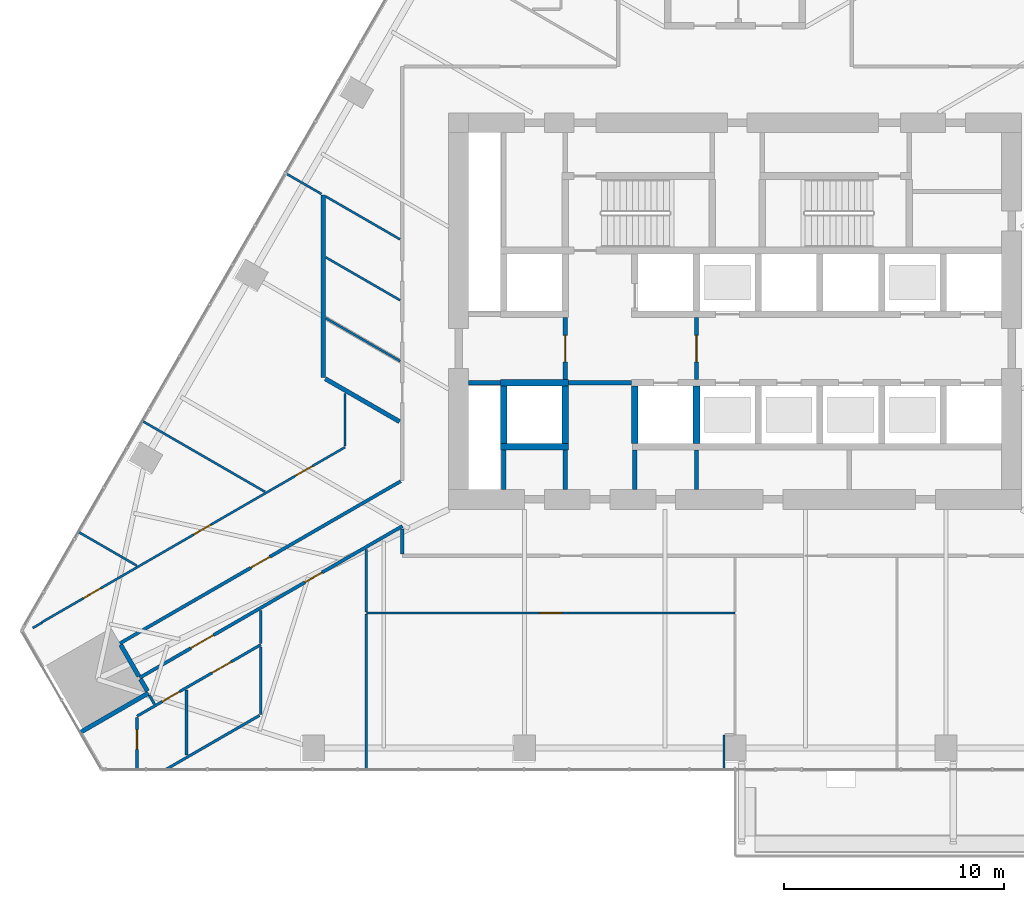
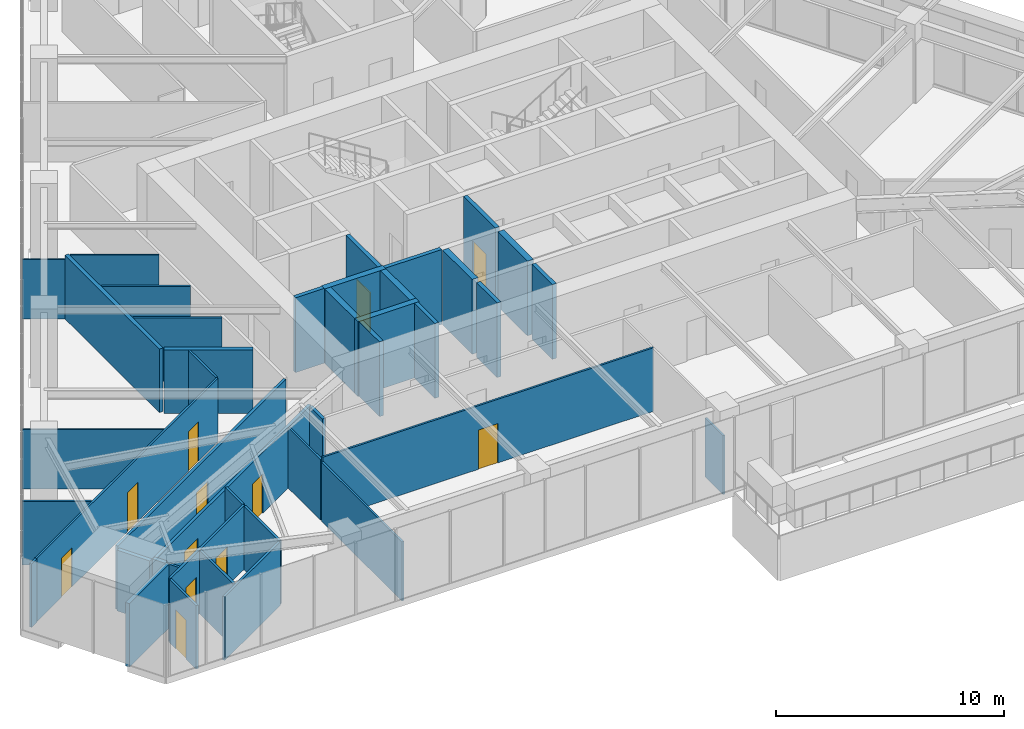
# One storey, part 21 of 29: 42 walls, 12 doors, 12 openings.
"""IFC4 building model written with IfcOpenShell, lengths in metres."""

from ifc_helpers import new_model, si_unit, direction, frame, frame_2d, origin, place, context, subcontext, project, spatial, rectangle, extrude, material, layer, layer_set, type_object, element, fill, save


model = new_model("IFC4")

# Units and contexts
model_context = context("Model", 3, precision=1e-05, world=origin(), true_north=direction((0.0, 1.0)))
body_context = subcontext(model_context, "Body", "Model", "MODEL_VIEW")
ifc_project = project(units=[si_unit("LENGTHUNIT", "METRE"), si_unit("AREAUNIT", "SQUARE_METRE"), si_unit("VOLUMEUNIT", "CUBIC_METRE"), si_unit("PLANEANGLEUNIT", "RADIAN"), si_unit("MASSUNIT", "GRAM", prefix="KILO")], contexts=[model_context])

# Site, building, storey
site_placement = place(None, origin())
site = spatial("IfcSite", under=ifc_project, at=site_placement, CompositionType="ELEMENT")
building_placement = place(site_placement, origin())
building = spatial("IfcBuilding", under=site, at=building_placement, Name="Firuza Gate Tower and Library", CompositionType="ELEMENT")
storey_placement = place(building_placement, frame((0.0, 0.0, 48.39990234375)))
storey = spatial("IfcBuildingStorey", under=building, at=storey_placement, Name="L10", CompositionType="ELEMENT", Elevation=48.39990234375)

# Walls
ifc_material_1 = material(Name="Plasterboard on steel studs", Category="steel")
ifc_layer_1 = layer(ifc_material_1, 0.199951171875)
ifc_layer_set_1 = layer_set([ifc_layer_1], Name="Core partition 200 EI 120")
wall_type_1 = type_object("IfcWallType", Name="Core partition 200 EI 120", PredefinedType="PARTITIONING", material=ifc_layer_set_1)
wall_1_placement = place(storey_placement, frame((62.89990234375, 71.75, 0.0), z_axis=(0.0, 0.0, 1.0), x_axis=(1.0, 0.0, 0.0)))
element("IfcWall", 1, at=wall_1_placement, inside=storey, type_object=wall_type_1, Name="Core partition L10 1", PredefinedType="PARTITIONING", context=body_context, shape_type="SweptSolid", body=[
    extrude(rectangle(XDim=1.4501953125, YDim=0.199951171875, at=frame_2d((0.72509765625, 0.0))), origin(), (0.0, 0.0, 1.0), 4.0),
])
wall_2_placement = place(storey_placement, frame((67.449951171875, 71.75, 0.0), z_axis=(0.0, 0.0, 1.0), x_axis=(1.0, 0.0, 0.0)))
element("IfcWall", 2, at=wall_2_placement, inside=storey, type_object=wall_type_1, Name="Core partition L10 2", PredefinedType="PARTITIONING", context=body_context, shape_type="SweptSolid", body=[
    extrude(rectangle(XDim=2.85009765625, YDim=0.199951171875, at=frame_2d((1.425048828125, 0.0))), origin(), (0.0, 0.0, 1.0), 4.0),
])
for number, where, z_axis, x_axis, name in (
    (3, (64.5, 66.89990234375, 0.0), (0.0, 0.0, 1.0), (0.0, 1.0, 0.0), "Core partition L10 5"),
    (4, (67.300048828125, 66.89990234375, 0.0), (0.0, 0.0, 1.0), (0.0, 1.0, 0.0), "Core partition L10 7"),
    (5, (70.449951171875, 66.89990234375, 0.0), (0.0, 0.0, 1.0), (0.0, 1.0, 0.0), "Core partition L10 10"),
    (6, (73.25, 66.89990234375, 0.0), (0.0, 0.0, 1.0), (0.0, 1.0, 0.0), "Core partition L10 11"),
):
    element("IfcWall", number, at=place(storey_placement, frame(where, z_axis=z_axis, x_axis=x_axis)), inside=storey, type_object=wall_type_1, Name=name, PredefinedType="PARTITIONING", context=body_context, shape_type="SweptSolid", body=[
        extrude(rectangle(XDim=1.800048828125, YDim=0.199951171875, at=frame_2d((0.89990234375, 0.0))), origin(), (0.0, 0.0, 1.0), 4.0),
    ])

# Wall, opening, door
ifc_material_2 = material(Name="Plasterboard on steel studs", Category="steel")
ifc_layer_2 = layer(ifc_material_2, 0.199951171875)
ifc_layer_set_2 = layer_set([ifc_layer_2], Name="Core partition 200 EI 60")
wall_type_2 = type_object("IfcWallType", Name="Core partition 200 EI 60", PredefinedType="PARTITIONING", material=ifc_layer_set_2)
wall_3_placement = place(storey_placement, frame((67.300048828125, 71.89990234375, 0.0), z_axis=(0.0, 0.0, 1.0), x_axis=(0.0, 1.0, 0.0)))
wall_3 = element("IfcWall", 7, at=wall_3_placement, inside=storey, type_object=wall_type_2, Name="Core partition L10 8", PredefinedType="PARTITIONING", context=body_context, shape_type="SweptSolid", body=[
    extrude(rectangle(XDim=2.800048828125, YDim=0.199951171875, at=frame_2d((1.39990234375, 0.0))), origin(), (0.0, 0.0, 1.0), 4.0),
])
opening_1_placement = place(wall_3_placement, frame((0.800048828125, 0.0, 0.0)))
opening_1 = element("IfcOpeningElement", 8, at=opening_1_placement, cuts=wall_3, Name="Opening L10-K21", PredefinedType="OPENING", context=body_context, shape_type="SweptSolid", body=[
    extrude(rectangle(XDim=1.199951171875, YDim=2.10009765625, at=frame_2d((0.60009765625, 1.050048828125))), frame((0.0, 0.10986328125, 0.0), z_axis=(0.0, -1.0, 0.0), x_axis=(1.0, 0.0, 0.0)), (0.0, 0.0, 1.0), 0.219970703125),
])
ifc_material_3 = material(Name="Steel", Category="steel")
door_type_1 = type_object("IfcDoorType", Name="Fire door 1200x2100 FD90S", OperationType="NOTDEFINED", PredefinedType="DOOR", material=ifc_material_3)
door_1_placement = place(opening_1_placement, origin())
door_1 = element("IfcDoor", 9, at=door_1_placement, inside=storey, type_object=door_type_1, Name="Door L10-K21", OperationType="SINGLE_SWING_RIGHT", OverallHeight=2.10009765625, OverallWidth=1.199951171875, PredefinedType="DOOR", context=body_context, shape_type="SweptSolid", body=[
    extrude(rectangle(XDim=1.199951171875, YDim=2.10009765625, at=frame_2d((0.60009765625, 1.050048828125))), frame((0.0, 0.02490234375, 0.0), z_axis=(0.0, -1.0, 0.0), x_axis=(1.0, 0.0, 0.0)), (0.0, 0.0, 1.0), 0.050048828125),
])
fill(opening_1, door_1)

wall_4_placement = place(storey_placement, frame((73.25, 71.89990234375, 0.0), z_axis=(0.0, 0.0, 1.0), x_axis=(0.0, 1.0, 0.0)))
wall_4 = element("IfcWall", 10, at=wall_4_placement, inside=storey, type_object=wall_type_2, Name="Core partition L10 12", PredefinedType="PARTITIONING", context=body_context, shape_type="SweptSolid", body=[
    extrude(rectangle(XDim=2.800048828125, YDim=0.199951171875, at=frame_2d((1.39990234375, 0.0))), origin(), (0.0, 0.0, 1.0), 4.0),
])
opening_2_placement = place(wall_4_placement, frame((0.800048828125, 0.0, 0.0)))
opening_2 = element("IfcOpeningElement", 11, at=opening_2_placement, cuts=wall_4, Name="Opening L10-K20", PredefinedType="OPENING", context=body_context, shape_type="SweptSolid", body=[
    extrude(rectangle(XDim=1.199951171875, YDim=2.10009765625, at=frame_2d((0.60009765625, 1.050048828125))), frame((0.0, 0.10986328125, 0.0), z_axis=(0.0, -1.0, 0.0), x_axis=(1.0, 0.0, 0.0)), (0.0, 0.0, 1.0), 0.219970703125),
])
door_2_placement = place(opening_2_placement, origin())
door_2 = element("IfcDoor", 12, at=door_2_placement, inside=storey, type_object=door_type_1, Name="Door L10-K20", OperationType="SINGLE_SWING_LEFT", OverallHeight=2.10009765625, OverallWidth=1.199951171875, PredefinedType="DOOR", context=body_context, shape_type="SweptSolid", body=[
    extrude(rectangle(XDim=1.199951171875, YDim=2.10009765625, at=frame_2d((0.60009765625, 1.050048828125))), frame((0.0, 0.02490234375, 0.0), z_axis=(0.0, -1.0, 0.0), x_axis=(1.0, 0.0, 0.0)), (0.0, 0.0, 1.0), 0.050048828125),
])
fill(opening_2, door_2)

# Walls
ifc_material_4 = material(Name="Concrete C80/95", Category="concrete")
ifc_layer_3 = layer(ifc_material_4, 0.300048828125)
ifc_layer_set_3 = layer_set([ifc_layer_3], Name="Core wall 300 C80/95")
wall_type_3 = type_object("IfcWallType", Name="Core wall 300 C80/95", PredefinedType="SHEAR", material=ifc_layer_set_3)
for number, where, z_axis, x_axis, name in (
    (13, (64.35009765625, 68.85009765625, 0.0), (0.0, 0.0, 1.0), (1.0, 0.0, 0.0), "Core wall L10 5"),
    (14, (64.35009765625, 71.75, 0.0), (0.0, 0.0, 1.0), (1.0, 0.0, 0.0), "Core wall L10 7"),
):
    element("IfcWall", number, at=place(storey_placement, frame(where, z_axis=z_axis, x_axis=x_axis)), inside=storey, type_object=wall_type_3, Name=name, PredefinedType="SHEAR", context=body_context, shape_type="SweptSolid", body=[
        extrude(rectangle(XDim=3.099853515625, YDim=0.300048828125, at=frame_2d((1.5498046875, 0.0))), origin(), (0.0, 0.0, 1.0), 4.0),
    ])
for number, where, z_axis, x_axis, name in (
    (15, (64.5, 69.0, 0.0), (0.0, 0.0, 1.0), (0.0, 1.0, 0.0), "Core wall L10 11"),
    (16, (67.300048828125, 69.0, 0.0), (0.0, 0.0, 1.0), (0.0, 1.0, 0.0), "Core wall L10 13"),
    (17, (70.449951171875, 69.0, 0.0), (0.0, 0.0, 1.0), (0.0, 1.0, 0.0), "Core wall L10 15"),
    (18, (73.25, 69.0, 0.0), (0.0, 0.0, 1.0), (0.0, 1.0, 0.0), "Core wall L10 17"),
):
    element("IfcWall", number, at=place(storey_placement, frame(where, z_axis=z_axis, x_axis=x_axis)), inside=storey, type_object=wall_type_3, Name=name, PredefinedType="SHEAR", context=body_context, shape_type="SweptSolid", body=[
        extrude(rectangle(XDim=2.60009765625, YDim=0.300048828125, at=frame_2d((1.300048828125, 0.0))), origin(), (0.0, 0.0, 1.0), 4.0),
    ])

# Wall, openings, doors
ifc_material_5 = material(Name="Gypsum board partition")
ifc_layer_4 = layer(ifc_material_5, 0.14990234375)
ifc_layer_set_4 = layer_set([ifc_layer_4], Name="Corridor wall 150 double board on steel studs")
wall_type_4 = type_object("IfcWallType", Name="Corridor wall 150 double board on steel studs", PredefinedType="PARTITIONING", material=ifc_layer_set_4)
wall_5_placement = place(storey_placement, frame((59.89990234375, 65.242919921875, 0.0), z_axis=(0.0, 0.0, 1.0), x_axis=(-0.866026378386, -0.499998311937, 0.0)))
wall_5 = element("IfcWall", 19, at=wall_5_placement, inside=storey, type_object=wall_type_4, Name="f:L10:w017", PredefinedType="PARTITIONING", context=body_context, shape_type="SweptSolid", body=[
    extrude(rectangle(XDim=13.76416015625, YDim=0.14990234375, at=frame_2d((6.882080078125, 0.0))), origin(), (0.0, 0.0, 1.0), 3.2470703125),
])
opening_3_placement = place(wall_5_placement, frame((4.208740234375, 0.0, 0.0)))
opening_3 = element("IfcOpeningElement", 20, at=opening_3_placement, cuts=wall_5, Name="Opening L10-13", PredefinedType="OPENING", context=body_context, shape_type="SweptSolid", body=[
    extrude(rectangle(XDim=0.89990234375, YDim=2.10009765625, at=frame_2d((0.449951171875, 1.050048828125))), frame((0.0, 0.0849609375, 0.0), z_axis=(0.0, -1.0, 0.0), x_axis=(1.0, 0.0, 0.0)), (0.0, 0.0, 1.0), 0.169921875),
])
opening_4_placement = place(wall_5_placement, frame((9.890869140625, 0.0, 0.0)))
opening_4 = element("IfcOpeningElement", 21, at=opening_4_placement, cuts=wall_5, Name="Opening L10-14", PredefinedType="OPENING", context=body_context, shape_type="SweptSolid", body=[
    extrude(rectangle(XDim=1.199951171875, YDim=2.10009765625, at=frame_2d((0.60009765625, 1.050048828125))), frame((0.0, 0.0849609375, 0.0), z_axis=(0.0, -1.0, 0.0), x_axis=(1.0, 0.0, 0.0)), (0.0, 0.0, 1.0), 0.169921875),
])
ifc_material_6 = material(Name="Steel door and timber leaf", Category="steel")
door_type_2 = type_object("IfcDoorType", Name="Fire door 1200 x 2100 steel frame, double leaf", OperationType="NOTDEFINED", PredefinedType="DOOR", material=ifc_material_6)
door_3_placement = place(opening_4_placement, origin())
door_3 = element("IfcDoor", 22, at=door_3_placement, inside=storey, type_object=door_type_2, Name="f:L10:d014", OperationType="DOUBLE_DOOR_SINGLE_SWING", OverallHeight=2.10009765625, OverallWidth=1.199951171875, PredefinedType="DOOR", context=body_context, shape_type="SweptSolid", body=[
    extrude(rectangle(XDim=1.199951171875, YDim=2.10009765625, at=frame_2d((0.60009765625, 1.050048828125))), frame((0.0, 0.02490234375, 0.0), z_axis=(0.0, -1.0, 0.0), x_axis=(1.0, 0.0, 0.0)), (0.0, 0.0, 1.0), 0.050048828125),
])
fill(opening_4, door_3)
ifc_material_7 = material(Name="Steel door and timber leaf", Category="steel")
door_type_3 = type_object("IfcDoorType", Name="Fire door 900 x 2100 steel frame, timber leaf", OperationType="NOTDEFINED", PredefinedType="DOOR", material=ifc_material_7)
door_4_placement = place(opening_3_placement, origin())
door_4 = element("IfcDoor", 23, at=door_4_placement, inside=storey, type_object=door_type_3, Name="f:L10:d013", OperationType="SINGLE_SWING_RIGHT", OverallHeight=2.10009765625, OverallWidth=0.89990234375, PredefinedType="DOOR", context=body_context, shape_type="SweptSolid", body=[
    extrude(rectangle(XDim=0.89990234375, YDim=2.10009765625, at=frame_2d((0.449951171875, 1.050048828125))), frame((0.0, 0.02490234375, 0.0), z_axis=(0.0, -1.0, 0.0), x_axis=(1.0, 0.0, 0.0)), (0.0, 0.0, 1.0), 0.050048828125),
])
fill(opening_3, door_4)

# Wall, opening, door
wall_6_placement = place(storey_placement, frame((47.079833984375, 59.919677734375, 0.0), z_axis=(0.0, 0.0, 1.0), x_axis=(0.866025356753, 0.50000008146, 0.0)))
wall_6 = element("IfcWall", 24, at=wall_6_placement, inside=storey, type_object=wall_type_4, Name="f:L10:w020", PredefinedType="PARTITIONING", context=body_context, shape_type="SweptSolid", body=[
    extrude(rectangle(XDim=14.716796875, YDim=0.14990234375, at=frame_2d((7.3583984375, 0.0))), origin(), (0.0, 0.0, 1.0), 3.400146484375),
])
opening_5_placement = place(wall_6_placement, frame((6.8583984375, 0.0, 0.0)))
opening_5 = element("IfcOpeningElement", 25, at=opening_5_placement, cuts=wall_6, Name="Opening L10-15", PredefinedType="OPENING", context=body_context, shape_type="SweptSolid", body=[
    extrude(rectangle(XDim=1.0, YDim=2.10009765625, at=frame_2d((0.5, 1.050048828125))), frame((0.0, 0.0849609375, 0.0), z_axis=(0.0, -1.0, 0.0), x_axis=(1.0, 0.0, 0.0)), (0.0, 0.0, 1.0), 0.169921875),
])
ifc_material_8 = material(Name="Steel door and timber leaf", Category="steel")
door_type_4 = type_object("IfcDoorType", Name="Fire door 1000 x 2100 steel frame, timber leaf", OperationType="NOTDEFINED", PredefinedType="DOOR", material=ifc_material_8)
door_5_placement = place(opening_5_placement, origin())
door_5 = element("IfcDoor", 26, at=door_5_placement, inside=storey, type_object=door_type_4, Name="f:L10:d015", OperationType="SINGLE_SWING_RIGHT", OverallHeight=2.10009765625, OverallWidth=1.0, PredefinedType="DOOR", context=body_context, shape_type="SweptSolid", body=[
    extrude(rectangle(XDim=1.0, YDim=2.10009765625, at=frame_2d((0.5, 1.050048828125))), frame((0.0, 0.02490234375, 0.0), z_axis=(0.0, -1.0, 0.0), x_axis=(1.0, 0.0, 0.0)), (0.0, 0.0, 1.0), 0.050048828125),
])
fill(opening_5, door_5)

# Walls
wall_7_placement = place(storey_placement, frame((59.89990234375, 63.97509765625, 0.0), z_axis=(0.0, 0.0, 1.0), x_axis=(0.0, 1.0, 0.0)))
element("IfcWall", 27, at=wall_7_placement, inside=storey, type_object=wall_type_4, Name="f:L10:w046", PredefinedType="PARTITIONING", context=body_context, shape_type="SweptSolid", body=[
    extrude(rectangle(XDim=1.131103515625, YDim=0.14990234375, at=frame_2d((0.5654296875, 0.0))), origin(), (0.0, 0.0, 1.0), 3.2470703125),
])
ifc_material_9 = material(Name="Gypsum board partition")
ifc_layer_5 = layer(ifc_material_9, 0.199951171875)
ifc_layer_set_5 = layer_set([ifc_layer_5], Name="Demising wall 200 acoustic double stud")
wall_type_5 = type_object("IfcWallType", Name="Demising wall 200 acoustic double stud", PredefinedType="PARTITIONING", material=ifc_layer_set_5)
wall_8_placement = place(storey_placement, frame((45.29638671875, 55.8876953125, 0.0), z_axis=(0.0, 0.0, 1.0), x_axis=(0.866016916595, 0.500014699955, 0.0)))
element("IfcWall", 28, at=wall_8_placement, inside=storey, type_object=wall_type_5, Name="f:L10:w016", PredefinedType="PARTITIONING", context=body_context, shape_type="SweptSolid", body=[
    extrude(rectangle(XDim=3.54345703125, YDim=0.199951171875, at=frame_2d((1.771728515625, 0.0))), origin(), (0.0, 0.0, 1.0), 3.400146484375),
])
wall_9_placement = place(storey_placement, frame((56.300048828125, 71.98828125, 0.0), z_axis=(0.0, 0.0, 1.0), x_axis=(0.0, 1.0, 0.0)))
element("IfcWall", 29, at=wall_9_placement, inside=storey, type_object=wall_type_5, Name="f:L10:w050", PredefinedType="PARTITIONING", context=body_context, shape_type="SweptSolid", body=[
    extrude(rectangle(XDim=8.2841796875, YDim=0.199951171875, at=frame_2d((4.14208984375, 0.0))), origin(), (0.0, 0.0, 1.0), 3.400146484375),
])
wall_10_placement = place(storey_placement, frame((48.32958984375, 57.7548828125, 0.0), z_axis=(0.0, 0.0, 1.0), x_axis=(-0.500342721131, 0.865827443207, 0.0)))
element("IfcWall", 30, at=wall_10_placement, inside=storey, type_object=wall_type_5, Name="f:L10:w055", PredefinedType="PARTITIONING", context=body_context, shape_type="SweptSolid", body=[
    extrude(rectangle(XDim=0.62451171875, YDim=0.199951171875, at=frame_2d((0.312255859375, 0.0))), origin(), (0.0, 0.0, 1.0), 3.400146484375),
])
wall_11_placement = place(storey_placement, frame((59.773193359375, 69.982421875, 0.0), z_axis=(0.0, 0.0, 1.0), x_axis=(-0.866043624834, 0.499968438888, 0.0)))
element("IfcWall", 31, at=wall_11_placement, inside=storey, type_object=wall_type_5, Name="f:L10:w066", PredefinedType="PARTITIONING", context=body_context, shape_type="SweptSolid", body=[
    extrude(rectangle(XDim=3.894775390625, YDim=0.199951171875, at=frame_2d((1.947265625, 0.0))), origin(), (0.0, 0.0, 1.0), 3.400146484375),
])
wall_12_placement = place(storey_placement, frame((47.942138671875, 58.425537109375, 0.0), z_axis=(0.0, 0.0, 1.0), x_axis=(-0.499991515992, 0.866030301974, 0.0)))
element("IfcWall", 32, at=wall_12_placement, inside=storey, type_object=wall_type_5, Name="f:L10:w073", PredefinedType="PARTITIONING", context=body_context, shape_type="SweptSolid", body=[
    extrude(rectangle(XDim=1.6494140625, YDim=0.199951171875, at=frame_2d((0.82470703125, 0.0))), origin(), (0.0, 0.0, 1.0), 3.2470703125),
])

# Wall, opening, door
ifc_material_10 = material(Name="Gypsum board partition")
ifc_layer_6 = layer(ifc_material_10, 0.10009765625)
ifc_layer_set_6 = layer_set([ifc_layer_6], Name="Partition 100 gypsum board on steel studs")
wall_type_6 = type_object("IfcWallType", Name="Partition 100 gypsum board on steel studs", PredefinedType="PARTITIONING", material=ifc_layer_set_6)
wall_13_placement = place(storey_placement, frame((58.27099609375, 61.300048828125, 0.0), z_axis=(0.0, 0.0, 1.0), x_axis=(1.0, 0.0, 0.0)))
wall_13 = element("IfcWall", 33, at=wall_13_placement, inside=storey, type_object=wall_type_6, Name="f:L10:w001", PredefinedType="PARTITIONING", context=body_context, shape_type="SweptSolid", body=[
    extrude(rectangle(XDim=16.72900390625, YDim=0.10009765625, at=frame_2d((8.364501953125, 0.0))), origin(), (0.0, 0.0, 1.0), 3.400146484375),
])
opening_6_placement = place(wall_13_placement, frame((7.864501953125, 0.0, 0.0)))
opening_6 = element("IfcOpeningElement", 34, at=opening_6_placement, cuts=wall_13, Name="Opening L10-01", PredefinedType="OPENING", context=body_context, shape_type="SweptSolid", body=[
    extrude(rectangle(XDim=1.0, YDim=2.10009765625, at=frame_2d((0.5, 1.050048828125))), frame((0.0, 0.06005859375, 0.0), z_axis=(0.0, -1.0, 0.0), x_axis=(1.0, 0.0, 0.0)), (0.0, 0.0, 1.0), 0.1201171875),
])
ifc_material_11 = material(Name="Timber door", Category="wood")
door_type_5 = type_object("IfcDoorType", Name="Door 1000 x 2100 timber leaf", OperationType="NOTDEFINED", PredefinedType="DOOR", material=ifc_material_11)
door_6_placement = place(opening_6_placement, origin())
door_6 = element("IfcDoor", 35, at=door_6_placement, inside=storey, type_object=door_type_5, Name="f:L10:d001", OperationType="SINGLE_SWING_RIGHT", OverallHeight=2.10009765625, OverallWidth=1.0, PredefinedType="DOOR", context=body_context, shape_type="SweptSolid", body=[
    extrude(rectangle(XDim=1.0, YDim=2.10009765625, at=frame_2d((0.5, 1.050048828125))), frame((0.0, 0.02490234375, 0.0), z_axis=(0.0, -1.0, 0.0), x_axis=(1.0, 0.0, 0.0)), (0.0, 0.0, 1.0), 0.050048828125),
])
fill(opening_6, door_6)

# Wall
wall_14_placement = place(storey_placement, frame((43.12744140625, 60.617919921875, 0.0), z_axis=(0.0, 0.0, 1.0), x_axis=(0.865979310119, 0.500079828073, 0.0)))
element("IfcWall", 36, at=wall_14_placement, inside=storey, type_object=wall_type_6, Name="f:L10:w021", PredefinedType="PARTITIONING", context=body_context, shape_type="SweptSolid", body=[
    extrude(rectangle(XDim=0.47314453125, YDim=0.10009765625, at=frame_2d((0.236572265625, 0.0))), origin(), (0.0, 0.0, 1.0), 3.400146484375),
])

# Wall, openings, doors
wall_15_placement = place(storey_placement, frame((57.300048828125, 68.822509765625, 0.0), z_axis=(0.0, 0.0, 1.0), x_axis=(-0.8660275888, -0.499996215423, 0.0)))
wall_15 = element("IfcWall", 37, at=wall_15_placement, inside=storey, type_object=wall_type_6, Name="f:L10:w022", PredefinedType="PARTITIONING", context=body_context, shape_type="SweptSolid", body=[
    extrude(rectangle(XDim=15.90234375, YDim=0.10009765625, at=frame_2d((7.951171875, 0.0))), origin(), (0.0, 0.0, 1.0), 3.400146484375),
])
opening_7_placement = place(wall_15_placement, frame((1.712890625, 0.0, 0.0)))
opening_7 = element("IfcOpeningElement", 38, at=opening_7_placement, cuts=wall_15, Name="Opening L10-16", PredefinedType="OPENING", context=body_context, shape_type="SweptSolid", body=[
    extrude(rectangle(XDim=0.89990234375, YDim=2.10009765625, at=frame_2d((0.449951171875, 1.050048828125))), frame((0.0, 0.06005859375, 0.0), z_axis=(0.0, -1.0, 0.0), x_axis=(1.0, 0.0, 0.0)), (0.0, 0.0, 1.0), 0.1201171875),
])
opening_8_placement = place(wall_15_placement, frame((7.02734375, 0.0, 0.0)))
opening_8 = element("IfcOpeningElement", 39, at=opening_8_placement, cuts=wall_15, Name="Opening L10-17", PredefinedType="OPENING", context=body_context, shape_type="SweptSolid", body=[
    extrude(rectangle(XDim=0.89990234375, YDim=2.10009765625, at=frame_2d((0.449951171875, 1.050048828125))), frame((0.0, 0.06005859375, 0.0), z_axis=(0.0, -1.0, 0.0), x_axis=(1.0, 0.0, 0.0)), (0.0, 0.0, 1.0), 0.1201171875),
])
opening_9_placement = place(wall_15_placement, frame((12.815673828125, 0.0, 0.0)))
opening_9 = element("IfcOpeningElement", 40, at=opening_9_placement, cuts=wall_15, Name="Opening L10-18", PredefinedType="OPENING", context=body_context, shape_type="SweptSolid", body=[
    extrude(rectangle(XDim=0.89990234375, YDim=2.10009765625, at=frame_2d((0.449951171875, 1.050048828125))), frame((0.0, 0.06005859375, 0.0), z_axis=(0.0, -1.0, 0.0), x_axis=(1.0, 0.0, 0.0)), (0.0, 0.0, 1.0), 0.1201171875),
])
ifc_material_12 = material(Name="Timber door", Category="wood")
door_type_6 = type_object("IfcDoorType", Name="Door 900 x 2100 timber leaf", OperationType="NOTDEFINED", PredefinedType="DOOR", material=ifc_material_12)
door_7_placement = place(opening_7_placement, origin())
door_7 = element("IfcDoor", 41, at=door_7_placement, inside=storey, type_object=door_type_6, Name="f:L10:d016", OperationType="SINGLE_SWING_RIGHT", OverallHeight=2.10009765625, OverallWidth=0.89990234375, PredefinedType="DOOR", context=body_context, shape_type="SweptSolid", body=[
    extrude(rectangle(XDim=0.89990234375, YDim=2.10009765625, at=frame_2d((0.449951171875, 1.050048828125))), frame((0.0, 0.02490234375, 0.0), z_axis=(0.0, -1.0, 0.0), x_axis=(1.0, 0.0, 0.0)), (0.0, 0.0, 1.0), 0.050048828125),
])
fill(opening_7, door_7)
door_8_placement = place(opening_8_placement, origin())
door_8 = element("IfcDoor", 42, at=door_8_placement, inside=storey, type_object=door_type_6, Name="f:L10:d017", OperationType="SINGLE_SWING_LEFT", OverallHeight=2.10009765625, OverallWidth=0.89990234375, PredefinedType="DOOR", context=body_context, shape_type="SweptSolid", body=[
    extrude(rectangle(XDim=0.89990234375, YDim=2.10009765625, at=frame_2d((0.449951171875, 1.050048828125))), frame((0.0, 0.02490234375, 0.0), z_axis=(0.0, -1.0, 0.0), x_axis=(1.0, 0.0, 0.0)), (0.0, 0.0, 1.0), 0.050048828125),
])
fill(opening_8, door_8)
door_9_placement = place(opening_9_placement, origin())
door_9 = element("IfcDoor", 43, at=door_9_placement, inside=storey, type_object=door_type_6, Name="f:L10:d018", OperationType="SINGLE_SWING_RIGHT", OverallHeight=2.10009765625, OverallWidth=0.89990234375, PredefinedType="DOOR", context=body_context, shape_type="SweptSolid", body=[
    extrude(rectangle(XDim=0.89990234375, YDim=2.10009765625, at=frame_2d((0.449951171875, 1.050048828125))), frame((0.0, 0.02490234375, 0.0), z_axis=(0.0, -1.0, 0.0), x_axis=(1.0, 0.0, 0.0)), (0.0, 0.0, 1.0), 0.050048828125),
])
fill(opening_9, door_9)

# Walls
wall_16_placement = place(storey_placement, frame((74.5, 54.212158203125, 0.0), z_axis=(0.0, 0.0, 1.0), x_axis=(0.0, 1.0, 0.0)))
element("IfcWall", 44, at=wall_16_placement, inside=storey, type_object=wall_type_6, Name="f:L10:w041", PredefinedType="PARTITIONING", context=body_context, shape_type="SweptSolid", body=[
    extrude(rectangle(XDim=1.5595703125, YDim=0.10009765625, at=frame_2d((0.77978515625, 0.0))), origin(), (0.0, 0.0, 1.0), 3.1650390625),
])
wall_17_placement = place(storey_placement, frame((58.257080078125, 54.212158203125, 0.0), z_axis=(0.0, 0.0, 1.0), x_axis=(0.0, 1.0, 0.0)))
element("IfcWall", 45, at=wall_17_placement, inside=storey, type_object=wall_type_6, Name="f:L10:w048", PredefinedType="PARTITIONING", context=body_context, shape_type="SweptSolid", body=[
    extrude(rectangle(XDim=7.037841796875, YDim=0.10009765625, at=frame_2d((3.51904296875, 0.0))), origin(), (0.0, 0.0, 1.0), 3.1650390625),
])
wall_18_placement = place(storey_placement, frame((57.300048828125, 68.880126953125, 0.0), z_axis=(0.0, 0.0, 1.0), x_axis=(0.0, 1.0, 0.0)))
element("IfcWall", 46, at=wall_18_placement, inside=storey, type_object=wall_type_6, Name="f:L10:w049", PredefinedType="PARTITIONING", context=body_context, shape_type="SweptSolid", body=[
    extrude(rectangle(XDim=2.38427734375, YDim=0.10009765625, at=frame_2d((1.192138671875, 0.0))), origin(), (0.0, 0.0, 1.0), 3.400146484375),
])
wall_19_placement = place(storey_placement, frame((59.798828125, 78.25244140625, 0.0), z_axis=(0.0, 0.0, 1.0), x_axis=(-0.866036349784, 0.499981040493, 0.0)))
element("IfcWall", 47, at=wall_19_placement, inside=storey, type_object=wall_type_6, Name="f:L10:w063", PredefinedType="PARTITIONING", context=body_context, shape_type="SweptSolid", body=[
    extrude(rectangle(XDim=3.895751953125, YDim=0.10009765625, at=frame_2d((1.94775390625, 0.0))), origin(), (0.0, 0.0, 1.0), 3.400146484375),
])
wall_20_placement = place(storey_placement, frame((59.798828125, 75.490478515625, 0.0), z_axis=(0.0, 0.0, 1.0), x_axis=(-0.866043624834, 0.499968438888, 0.0)))
element("IfcWall", 48, at=wall_20_placement, inside=storey, type_object=wall_type_6, Name="f:L10:w064", PredefinedType="PARTITIONING", context=body_context, shape_type="SweptSolid", body=[
    extrude(rectangle(XDim=3.894775390625, YDim=0.10009765625, at=frame_2d((1.947265625, 0.0))), origin(), (0.0, 0.0, 1.0), 3.400146484375),
])
wall_21_placement = place(storey_placement, frame((59.799072265625, 72.729248046875, 0.0), z_axis=(0.0, 0.0, 1.0), x_axis=(-0.866016482536, 0.500015451737, 0.0)))
element("IfcWall", 49, at=wall_21_placement, inside=storey, type_object=wall_type_6, Name="f:L10:w065", PredefinedType="PARTITIONING", context=body_context, shape_type="SweptSolid", body=[
    extrude(rectangle(XDim=3.89501953125, YDim=0.10009765625, at=frame_2d((1.947509765625, 0.0))), origin(), (0.0, 0.0, 1.0), 3.400146484375),
])
wall_22_placement = place(storey_placement, frame((53.654052734375, 66.80517578125, 0.0), z_axis=(0.0, 0.0, 1.0), x_axis=(-0.866029926444, 0.499992166441, 0.0)))
element("IfcWall", 50, at=wall_22_placement, inside=storey, type_object=wall_type_6, Name="f:L10:w067", PredefinedType="PARTITIONING", context=body_context, shape_type="SweptSolid", body=[
    extrude(rectangle(XDim=6.39892578125, YDim=0.10009765625, at=frame_2d((3.199462890625, 0.0))), origin(), (0.0, 0.0, 1.0), 3.1650390625),
])
wall_23_placement = place(storey_placement, frame((47.843017578125, 63.4501953125, 0.0), z_axis=(0.0, 0.0, 1.0), x_axis=(-0.86603332906, 0.499986272769, 0.0)))
element("IfcWall", 51, at=wall_23_placement, inside=storey, type_object=wall_type_6, Name="f:L10:w068", PredefinedType="PARTITIONING", context=body_context, shape_type="SweptSolid", body=[
    extrude(rectangle(XDim=3.0439453125, YDim=0.10009765625, at=frame_2d((1.52197265625, 0.0))), origin(), (0.0, 0.0, 1.0), 3.400146484375),
])
wall_24_placement = place(storey_placement, frame((56.22509765625, 80.315673828125, 0.0), z_axis=(0.0, 0.0, 1.0), x_axis=(-0.86600952399, 0.500027503603, 0.0)))
element("IfcWall", 52, at=wall_24_placement, inside=storey, type_object=wall_type_6, Name="f:L10:w078", PredefinedType="PARTITIONING", context=body_context, shape_type="SweptSolid", body=[
    extrude(rectangle(XDim=1.87060546875, YDim=0.10009765625, at=frame_2d((0.935302734375, 0.0))), origin(), (0.0, 0.0, 1.0), 3.1650390625),
])
wall_25_placement = place(storey_placement, frame((58.257080078125, 61.35009765625, 0.0), z_axis=(0.0, 0.0, 1.0), x_axis=(0.0, 1.0, 0.0)))
element("IfcWall", 53, at=wall_25_placement, inside=storey, type_object=wall_type_6, Name="f:L10:w079", PredefinedType="PARTITIONING", context=body_context, shape_type="SweptSolid", body=[
    extrude(rectangle(XDim=2.82763671875, YDim=0.10009765625, at=frame_2d((1.413818359375, 0.0))), origin(), (0.0, 0.0, 1.0), 3.2470703125),
])
ifc_material_13 = material(Name="Gypsum board partition")
ifc_layer_7 = layer(ifc_material_13, 0.1201171875)
ifc_layer_set_7 = layer_set([ifc_layer_7], Name="Wet-area partition 120 moisture-resistant board")
wall_type_7 = type_object("IfcWallType", Name="Wet-area partition 120 moisture-resistant board", PredefinedType="PARTITIONING", material=ifc_layer_set_7)
wall_26_placement = place(storey_placement, frame((49.194091796875, 54.212158203125, 0.0), z_axis=(0.0, 0.0, 1.0), x_axis=(0.866016997745, 0.500014559404, 0.0)))
element("IfcWall", 54, at=wall_26_placement, inside=storey, type_object=wall_type_7, Name="f:L10:w014", PredefinedType="PARTITIONING", context=body_context, shape_type="SweptSolid", body=[
    extrude(rectangle(XDim=4.871337890625, YDim=0.1201171875, at=frame_2d((2.435546875, 0.0))), origin(), (0.0, 0.0, 1.0), 3.400146484375),
])

# Wall, openings, doors
wall_27_placement = place(storey_placement, frame((47.85546875, 56.614501953125, 0.0), z_axis=(0.0, 0.0, 1.0), x_axis=(0.866008853477, 0.500028664877, 0.0)))
wall_27 = element("IfcWall", 55, at=wall_27_placement, inside=storey, type_object=wall_type_7, Name="f:L10:w015", PredefinedType="PARTITIONING", context=body_context, shape_type="SweptSolid", body=[
    extrude(rectangle(XDim=6.4873046875, YDim=0.1201171875, at=frame_2d((3.24365234375, 0.0))), origin(), (0.0, 0.0, 1.0), 3.400146484375),
])
opening_10_placement = place(wall_27_placement, frame((1.329345703125, 0.0, 0.0)))
opening_10 = element("IfcOpeningElement", 56, at=opening_10_placement, cuts=wall_27, Name="Opening L10-11", PredefinedType="OPENING", context=body_context, shape_type="SweptSolid", body=[
    extrude(rectangle(XDim=0.89990234375, YDim=2.10009765625, at=frame_2d((0.449951171875, 1.050048828125))), frame((0.0, 0.070068359375, 0.0), z_axis=(0.0, -1.0, 0.0), x_axis=(1.0, 0.0, 0.0)), (0.0, 0.0, 1.0), 0.14013671875),
])
opening_11_placement = place(wall_27_placement, frame((3.939453125, 0.0, 0.0)))
opening_11 = element("IfcOpeningElement", 57, at=opening_11_placement, cuts=wall_27, Name="Opening L10-12", PredefinedType="OPENING", context=body_context, shape_type="SweptSolid", body=[
    extrude(rectangle(XDim=1.0, YDim=2.10009765625, at=frame_2d((0.5, 1.050048828125))), frame((0.0, 0.070068359375, 0.0), z_axis=(0.0, -1.0, 0.0), x_axis=(1.0, 0.0, 0.0)), (0.0, 0.0, 1.0), 0.14013671875),
])
door_10_placement = place(opening_11_placement, origin())
door_10 = element("IfcDoor", 58, at=door_10_placement, inside=storey, type_object=door_type_5, Name="f:L10:d012", OperationType="SINGLE_SWING_RIGHT", OverallHeight=2.10009765625, OverallWidth=1.0, PredefinedType="DOOR", context=body_context, shape_type="SweptSolid", body=[
    extrude(rectangle(XDim=1.0, YDim=2.10009765625, at=frame_2d((0.5, 1.050048828125))), frame((0.0, 0.02490234375, 0.0), z_axis=(0.0, -1.0, 0.0), x_axis=(1.0, 0.0, 0.0)), (0.0, 0.0, 1.0), 0.050048828125),
])
fill(opening_11, door_10)
door_11_placement = place(opening_10_placement, origin())
door_11 = element("IfcDoor", 59, at=door_11_placement, inside=storey, type_object=door_type_6, Name="f:L10:d011", OperationType="SINGLE_SWING_LEFT", OverallHeight=2.10009765625, OverallWidth=0.89990234375, PredefinedType="DOOR", context=body_context, shape_type="SweptSolid", body=[
    extrude(rectangle(XDim=0.89990234375, YDim=2.10009765625, at=frame_2d((0.449951171875, 1.050048828125))), frame((0.0, 0.02490234375, 0.0), z_axis=(0.0, -1.0, 0.0), x_axis=(1.0, 0.0, 0.0)), (0.0, 0.0, 1.0), 0.050048828125),
])
fill(opening_10, door_11)

# Walls
wall_28_placement = place(storey_placement, frame((53.47412109375, 56.682861328125, 0.0), z_axis=(0.0, 0.0, 1.0), x_axis=(0.0, 1.0, 0.0)))
element("IfcWall", 60, at=wall_28_placement, inside=storey, type_object=wall_type_7, Name="f:L10:w051", PredefinedType="PARTITIONING", context=body_context, shape_type="SweptSolid", body=[
    extrude(rectangle(XDim=3.07177734375, YDim=0.1201171875, at=frame_2d((1.535888671875, 0.0))), origin(), (0.0, 0.0, 1.0), 3.400146484375),
])
wall_29_placement = place(storey_placement, frame((50.10302734375, 54.845947265625, 0.0), z_axis=(0.0, 0.0, 1.0), x_axis=(0.0, 1.0, 0.0)))
element("IfcWall", 61, at=wall_29_placement, inside=storey, type_object=wall_type_7, Name="f:L10:w052", PredefinedType="PARTITIONING", context=body_context, shape_type="SweptSolid", body=[
    extrude(rectangle(XDim=2.956787109375, YDim=0.1201171875, at=frame_2d((1.478515625, 0.0))), origin(), (0.0, 0.0, 1.0), 3.400146484375),
])

# Wall, opening, door
wall_30_placement = place(storey_placement, frame((47.85498046875, 56.545166015625, 0.0), z_axis=(0.0, 0.0, 1.0), x_axis=(0.0, -1.0, 0.0)))
wall_30 = element("IfcWall", 62, at=wall_30_placement, inside=storey, type_object=wall_type_7, Name="f:L10:w053", PredefinedType="PARTITIONING", context=body_context, shape_type="SweptSolid", body=[
    extrude(rectangle(XDim=2.3330078125, YDim=0.1201171875, at=frame_2d((1.16650390625, 0.0))), origin(), (0.0, 0.0, 1.0), 3.400146484375),
])
opening_12_placement = place(wall_30_placement, frame((0.53662109375, 0.0, 0.0)))
opening_12 = element("IfcOpeningElement", 63, at=opening_12_placement, cuts=wall_30, Name="Opening L10-30", PredefinedType="OPENING", context=body_context, shape_type="SweptSolid", body=[
    extrude(rectangle(XDim=0.89990234375, YDim=2.10009765625, at=frame_2d((0.449951171875, 1.050048828125))), frame((0.0, 0.070068359375, 0.0), z_axis=(0.0, -1.0, 0.0), x_axis=(1.0, 0.0, 0.0)), (0.0, 0.0, 1.0), 0.14013671875),
])
door_12_placement = place(opening_12_placement, origin())
door_12 = element("IfcDoor", 64, at=door_12_placement, inside=storey, type_object=door_type_6, Name="f:L10:d030", OperationType="SINGLE_SWING_LEFT", OverallHeight=2.10009765625, OverallWidth=0.89990234375, PredefinedType="DOOR", context=body_context, shape_type="SweptSolid", body=[
    extrude(rectangle(XDim=0.89990234375, YDim=2.10009765625, at=frame_2d((0.449951171875, 1.050048828125))), frame((0.0, 0.02490234375, 0.0), z_axis=(0.0, -1.0, 0.0), x_axis=(1.0, 0.0, 0.0)), (0.0, 0.0, 1.0), 0.050048828125),
])
fill(opening_12, door_12)

# Walls
wall_31_placement = place(storey_placement, frame((48.65234375, 57.155517578125, 0.0), z_axis=(0.0, 0.0, 1.0), x_axis=(-0.499913221443, 0.866075499611, 0.0)))
element("IfcWall", 65, at=wall_31_placement, inside=storey, type_object=wall_type_7, Name="f:L10:w056", PredefinedType="PARTITIONING", context=body_context, shape_type="SweptSolid", body=[
    extrude(rectangle(XDim=0.47998046875, YDim=0.1201171875, at=frame_2d((0.239990234375, 0.0))), origin(), (0.0, 0.0, 1.0), 3.400146484375),
])
wall_32_placement = place(storey_placement, frame((53.47412109375, 59.910400390625, 0.0), z_axis=(0.0, 0.0, 1.0), x_axis=(0.0, 1.0, 0.0)))
element("IfcWall", 66, at=wall_32_placement, inside=storey, type_object=wall_type_7, Name="f:L10:w072", PredefinedType="PARTITIONING", context=body_context, shape_type="SweptSolid", body=[
    extrude(rectangle(XDim=1.49560546875, YDim=0.1201171875, at=frame_2d((0.747802734375, 0.0))), origin(), (0.0, 0.0, 1.0), 3.400146484375),
])

save(model, "model.ifc")
